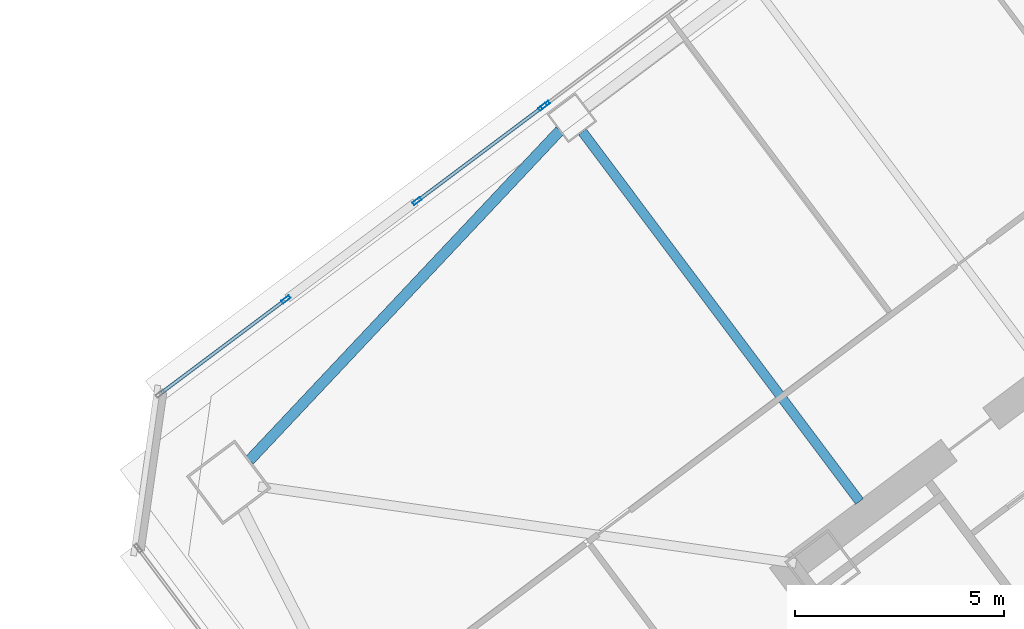
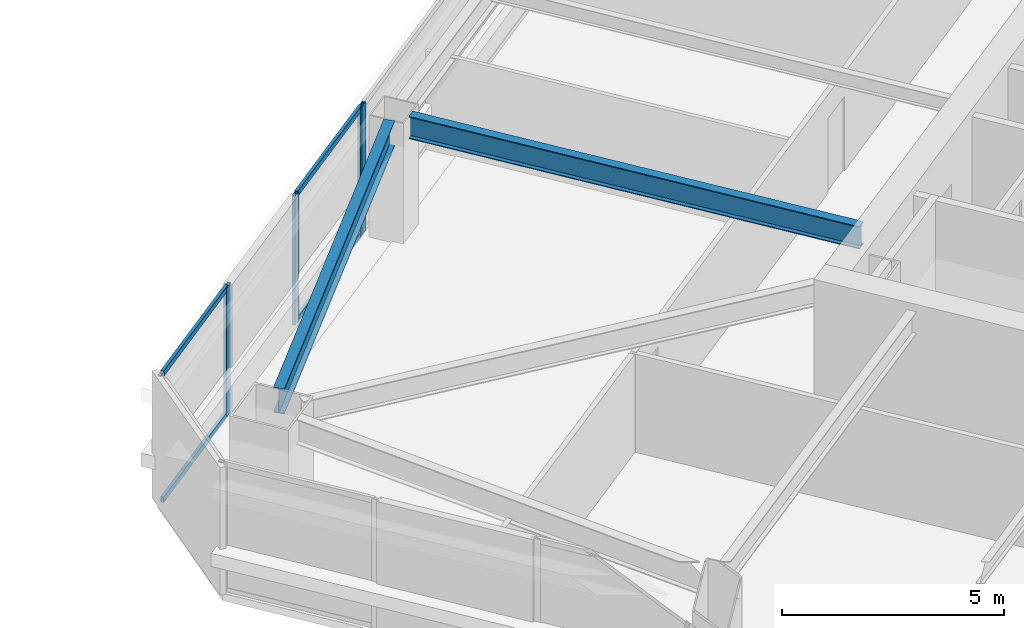
# One storey, part 30 of 48: 8 members, 2 beams, 3 elements without a shape of their own.
"""IFC4 building model written with IfcOpenShell, lengths in metres."""

from ifc_helpers import new_model, si_unit, direction, frame, origin, origin_2d, place, context, subcontext, project, spatial, hollow_rectangle, i_section, extrude, material, material_profile, profile_set, type_object, element, aggregate, save


model = new_model("IFC4")

# Units and contexts
model_context = context("Model", 3, precision=1e-05, world=origin(), true_north=direction((0.0, 1.0)))
body_context = subcontext(model_context, "Body", "Model", "MODEL_VIEW")
ifc_project = project(units=[si_unit("LENGTHUNIT", "METRE"), si_unit("AREAUNIT", "SQUARE_METRE"), si_unit("VOLUMEUNIT", "CUBIC_METRE"), si_unit("PLANEANGLEUNIT", "RADIAN"), si_unit("MASSUNIT", "GRAM", prefix="KILO")], contexts=[model_context])

# Site, building, storey
site_placement = place(None, origin())
site = spatial("IfcSite", under=ifc_project, at=site_placement, CompositionType="ELEMENT")
building_placement = place(site_placement, origin())
building = spatial("IfcBuilding", under=site, at=building_placement, Name="Tashvorn Skyway Center", CompositionType="ELEMENT")
storey_placement = place(building_placement, frame((0.0, 0.0, 77.85009765625)))
storey = spatial("IfcBuildingStorey", under=building, at=storey_placement, Name="L20", CompositionType="ELEMENT", Elevation=77.85009765625)

# Beams
ifc_material_1 = material(Name="Steel ASTM A992 Grade 50", Category="steel")
ifc_material_profile_1 = material_profile(ifc_material_1, i_section(OverallWidth=0.22998046875, OverallDepth=0.616943359375, WebThickness=0.01318359375, FlangeThickness=0.022216796875, at=origin_2d()), Name="W24X94")
ifc_profile_set_1 = profile_set([ifc_material_profile_1], Name="Steel ASTM A992 Grade 50")
beam_type_1 = type_object("IfcBeamType", Name="BM-BEAM-W24X94", PredefinedType="BEAM", material=ifc_profile_set_1)
beam_1_placement = place(storey_placement, frame((98.382080078125, 43.823974609375, 3.04150390625), z_axis=(0.599989394744, -0.800007953832, 0.0), x_axis=(0.800007953832, 0.599989394744, 0.0)))
element("IfcBeam", 1, at=beam_1_placement, inside=storey, type_object=beam_type_1, Name="Tower 2 L20 Primary Floor Girder FC-N2", PredefinedType="BEAM", context=body_context, shape_type="SweptSolid", body=[
    extrude(i_section(OverallWidth=0.22998046875, OverallDepth=0.616943359375, WebThickness=0.01318359375, FlangeThickness=0.022216796875, at=origin_2d()), origin(), (0.0, 0.0, 1.0), 11.050048828125),
])
ifc_material_profile_2 = material_profile(ifc_material_1, i_section(OverallWidth=0.256103515625, OverallDepth=0.693115234375, WebThickness=0.014404296875, FlangeThickness=0.023681640625, at=origin_2d()), Name="W27X114")
ifc_profile_set_2 = profile_set([ifc_material_profile_2], Name="Steel ASTM A992 Grade 50")
beam_type_2 = type_object("IfcBeamType", Name="BM-SPANDREL-W27X114", PredefinedType="SPANDREL", material=ifc_profile_set_2)
beam_2_placement = place(storey_placement, frame((97.842041015625, 43.854248046875, 3.00341796875), z_axis=(-0.685484857238, -0.728086883893, 0.0), x_axis=(0.728086883893, -0.685484857238, 0.0)))
element("IfcBeam", 2, at=beam_2_placement, inside=storey, type_object=beam_type_2, Name="Tower 2 L20 Spandrel Beam 09", PredefinedType="SPANDREL", context=body_context, shape_type="SweptSolid", body=[
    extrude(i_section(OverallWidth=0.256103515625, OverallDepth=0.693115234375, WebThickness=0.014404296875, FlangeThickness=0.023681640625, at=origin_2d()), origin(), (0.0, 0.0, 1.0), 10.8369140625),
])

# Curtain wall, member
ifc_material_2 = material(Name="Thermally broken bronze-anodized aluminium 6063-T6", Category="aluminium")
curtain_wall_type = type_object("IfcCurtainWallType", Name="CW-CW-Z2", PredefinedType="NOTDEFINED", material=ifc_material_2)
curtain_wall_1_placement = place(storey_placement, origin())
curtain_wall_1 = element("IfcCurtainWall", 3, at=curtain_wall_1_placement, inside=storey, type_object=curtain_wall_type, Name="Tower 2 L20 North Unitised Curtain Wall Glazing Group 1", PredefinedType="NOTDEFINED")
ifc_material_profile_3 = material_profile(ifc_material_2, hollow_rectangle(XDim=0.080078125, YDim=0.219970703125, WallThickness=0.0048828125, at=origin_2d()), Name="ALU-MULL-80x220")
ifc_profile_set_3 = profile_set([ifc_material_profile_3], Name="Thermally broken bronze-anodized aluminium 6063-T6")
member_type_1 = type_object("IfcMemberType", Name="CWM-CW-Z2", PredefinedType="MULLION", material=ifc_profile_set_3)
member_1_placement = place(storey_placement, frame((91.2880859375, 39.81591796875, 0.0), z_axis=(0.0, 0.0, 1.0), x_axis=(-0.600000000002, 0.799999999998, 0.0)))
member_1 = element("IfcMember", 4, at=member_1_placement, type_object=member_type_1, Name="CW-Z2 mullion 2", PredefinedType="MULLION", context=body_context, shape_type="SweptSolid", body=[
    extrude(hollow_rectangle(XDim=0.080078125, YDim=0.219970703125, WallThickness=0.0048828125, at=origin_2d()), origin(), (0.0, 0.0, 1.0), 3.5498046875),
])

# Curtain wall, members
curtain_wall_2_placement = place(storey_placement, origin())
curtain_wall_2 = element("IfcCurtainWall", 5, at=curtain_wall_2_placement, inside=storey, type_object=curtain_wall_type, Name="Tower 2 L20 North Unitised Curtain Wall Glazing Group 2", PredefinedType="NOTDEFINED")
member_2_placement = place(storey_placement, frame((94.424072265625, 42.16796875, 0.0), z_axis=(0.0, 0.0, 1.0), x_axis=(-0.600000000002, 0.799999999998, 0.0)))
member_2 = element("IfcMember", 6, at=member_2_placement, type_object=member_type_1, Name="CW-Z2 mullion 1", PredefinedType="MULLION", context=body_context, shape_type="SweptSolid", body=[
    extrude(hollow_rectangle(XDim=0.080078125, YDim=0.219970703125, WallThickness=0.0048828125, at=origin_2d()), origin(), (0.0, 0.0, 1.0), 3.5498046875),
])
member_3_placement = place(storey_placement, frame((97.431884765625, 44.424072265625, 0.0), z_axis=(0.0, 0.0, 1.0), x_axis=(-0.600000000002, 0.799999999998, 0.0)))
member_3 = element("IfcMember", 7, at=member_3_placement, type_object=member_type_1, Name="CW-Z2 mullion 2", PredefinedType="MULLION", context=body_context, shape_type="SweptSolid", body=[
    extrude(hollow_rectangle(XDim=0.080078125, YDim=0.219970703125, WallThickness=0.0048828125, at=origin_2d()), origin(), (0.0, 0.0, 1.0), 3.5498046875),
])

# Curtain wall, member
curtain_wall_3_placement = place(storey_placement, origin())
curtain_wall_3 = element("IfcCurtainWall", 8, at=curtain_wall_3_placement, inside=storey, type_object=curtain_wall_type, Name="Tower 2 L20 North Unitised Curtain Wall Glazing Group 3", PredefinedType="NOTDEFINED")
member_4_placement = place(storey_placement, frame((97.49609375, 44.471923828125, 0.0), z_axis=(0.0, 0.0, 1.0), x_axis=(-0.600000000002, 0.799999999998, 0.0)))
member_4 = element("IfcMember", 9, at=member_4_placement, type_object=member_type_1, Name="CW-Z2 mullion 1", PredefinedType="MULLION", context=body_context, shape_type="SweptSolid", body=[
    extrude(hollow_rectangle(XDim=0.080078125, YDim=0.219970703125, WallThickness=0.0048828125, at=origin_2d()), origin(), (0.0, 0.0, 1.0), 3.5498046875),
])
aggregate(curtain_wall_3, [member_4])

# Member
ifc_material_profile_4 = material_profile(ifc_material_2, hollow_rectangle(XDim=0.080078125, YDim=0.14990234375, WallThickness=0.00439453125, at=origin_2d()), Name="ALU-TRAN-80x150")
ifc_profile_set_4 = profile_set([ifc_material_profile_4], Name="Thermally broken bronze-anodized aluminium 6063-T6")
member_type_2 = type_object("IfcMemberType", Name="CWT-CW-Z2", PredefinedType="USERDEFINED", material=ifc_profile_set_4)
member_5_placement = place(storey_placement, frame((88.31201171875, 37.583984375, 0.039794921875), z_axis=(0.800007960868, 0.599989385363, 0.0), x_axis=(-0.599989385363, 0.800007960868, 0.0)))
member_5 = element("IfcMember", 10, at=member_5_placement, type_object=member_type_2, Name="CW-Z2 transom 1.1", ObjectType="TRANSOM", PredefinedType="USERDEFINED", context=body_context, shape_type="SweptSolid", body=[
    extrude(hollow_rectangle(XDim=0.080078125, YDim=0.14990234375, WallThickness=0.00439453125, at=origin_2d()), origin(), (0.0, 0.0, 1.0), 3.68017578125),
])

member_6_placement = place(storey_placement, frame((88.31201171875, 37.583984375, 3.510009765625), z_axis=(0.800007960868, 0.599989385363, 0.0), x_axis=(-0.599989385363, 0.800007960868, 0.0)))
member_6 = element("IfcMember", 11, at=member_6_placement, type_object=member_type_2, Name="CW-Z2 transom 1.2", ObjectType="TRANSOM", PredefinedType="USERDEFINED", context=body_context, shape_type="SweptSolid", body=[
    extrude(hollow_rectangle(XDim=0.080078125, YDim=0.14990234375, WallThickness=0.00439453125, at=origin_2d()), origin(), (0.0, 0.0, 1.0), 3.68017578125),
])

aggregate(curtain_wall_1, [member_1, member_5, member_6])

member_7_placement = place(storey_placement, frame((94.4560546875, 42.19189453125, 0.039794921875), z_axis=(0.799984076997, 0.600021230084, 0.0), x_axis=(-0.600021230084, 0.799984076997, 0.0)))
member_7 = element("IfcMember", 12, at=member_7_placement, type_object=member_type_2, Name="CW-Z2 transom 1.1", ObjectType="TRANSOM", PredefinedType="USERDEFINED", context=body_context, shape_type="SweptSolid", body=[
    extrude(hollow_rectangle(XDim=0.080078125, YDim=0.14990234375, WallThickness=0.00439453125, at=origin_2d()), origin(), (0.0, 0.0, 1.0), 3.679931640625),
])

member_8_placement = place(storey_placement, frame((94.4560546875, 42.19189453125, 3.510009765625), z_axis=(0.799984076997, 0.600021230084, 0.0), x_axis=(-0.600021230084, 0.799984076997, 0.0)))
member_8 = element("IfcMember", 13, at=member_8_placement, type_object=member_type_2, Name="CW-Z2 transom 1.2", ObjectType="TRANSOM", PredefinedType="USERDEFINED", context=body_context, shape_type="SweptSolid", body=[
    extrude(hollow_rectangle(XDim=0.080078125, YDim=0.14990234375, WallThickness=0.00439453125, at=origin_2d()), origin(), (0.0, 0.0, 1.0), 3.679931640625),
])

aggregate(curtain_wall_2, [member_2, member_3, member_7, member_8])

save(model, "model.ifc")
